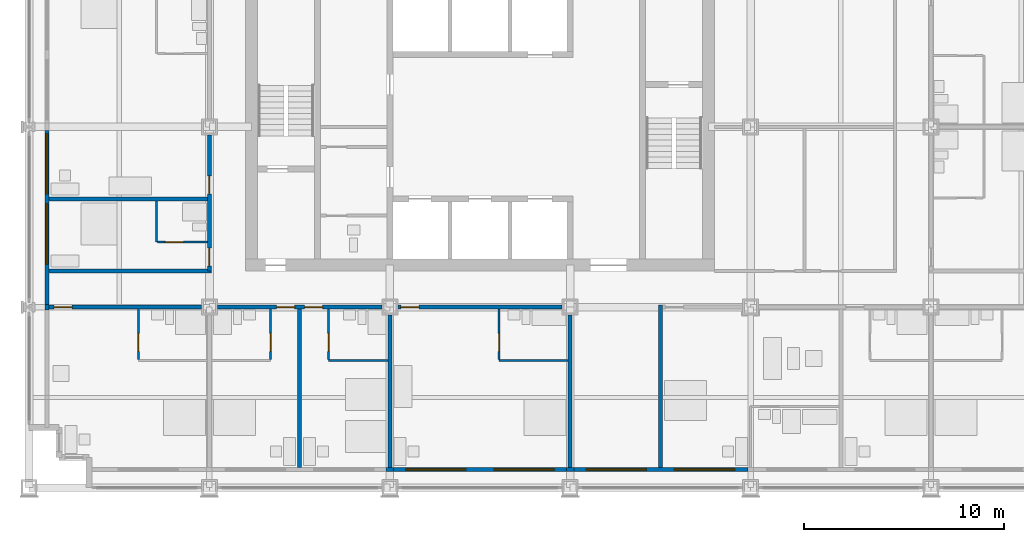
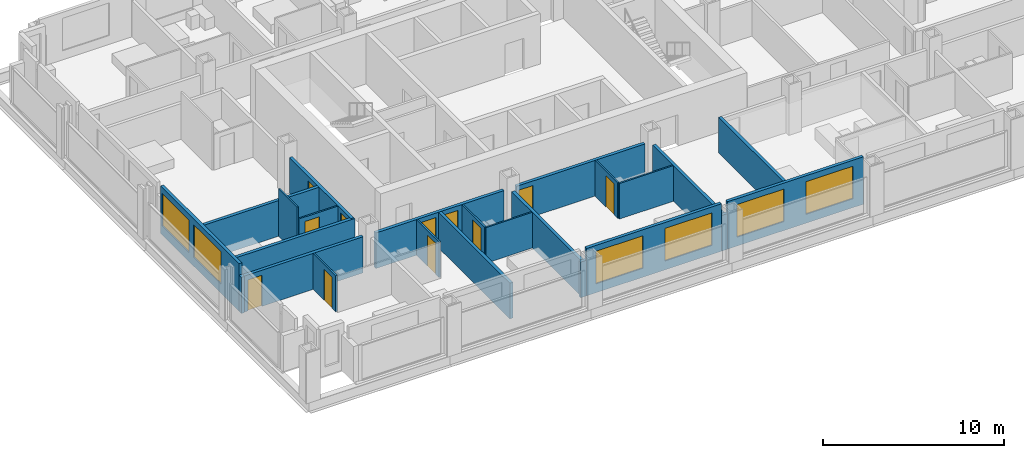
# One storey, part 10 of 18: 24 walls, 11 doors, 6 windows, 17 openings.
"""IFC4 building model written with IfcOpenShell, lengths in metres."""

from ifc_helpers import new_model, si_unit, direction, frame, frame_2d, origin, place, context, subcontext, project, spatial, rectangle, extrude, material, layer, layer_set, type_object, element, fill, save


model = new_model("IFC4")

# Units and contexts
model_context = context("Model", 3, precision=1e-05, world=origin(), true_north=direction((0.0, 1.0)))
body_context = subcontext(model_context, "Body", "Model", "MODEL_VIEW")
ifc_project = project(units=[si_unit("LENGTHUNIT", "METRE"), si_unit("AREAUNIT", "SQUARE_METRE"), si_unit("VOLUMEUNIT", "CUBIC_METRE"), si_unit("PLANEANGLEUNIT", "RADIAN"), si_unit("MASSUNIT", "GRAM", prefix="KILO")], contexts=[model_context])

# Site, building, storey
site_placement = place(None, origin())
site = spatial("IfcSite", under=ifc_project, at=site_placement, CompositionType="ELEMENT")
building_placement = place(site_placement, origin())
building = spatial("IfcBuilding", under=site, at=building_placement, Name="Loomwork Tower", CompositionType="ELEMENT")
storey_placement = place(building_placement, frame((0.0, 0.0, 31.39990234375)))
storey = spatial("IfcBuildingStorey", under=building, at=storey_placement, Name="L06", CompositionType="ELEMENT", Elevation=31.39990234375)

# Wall, opening, door
ifc_material_1 = material(Name="Gypsum board on steel studs, one-hour", Category="steel")
ifc_layer_1 = layer(ifc_material_1, 0.199951171875)
ifc_layer_set_1 = layer_set([ifc_layer_1], Name="Corridor wall 200")
wall_type_1 = type_object("IfcWallType", Name="Corridor wall 200", PredefinedType="PARTITIONING", material=ifc_layer_set_1)
wall_1_placement = place(storey_placement, frame((1.0, 9.0, 0.0), z_axis=(0.0, 0.0, 1.0), x_axis=(1.0, 0.0, 0.0)))
wall_1 = element("IfcWall", 1, at=wall_1_placement, inside=storey, type_object=wall_type_1, Name="South corridor wall 1", PredefinedType="PARTITIONING", context=body_context, shape_type="SweptSolid", body=[
    extrude(rectangle(XDim=7.60009765625, YDim=0.199951171875, at=frame_2d((3.800048828125, 0.0))), origin(), (0.0, 0.0, 1.0), 2.43798828125),
])
opening_1_placement = place(wall_1_placement, frame((0.25, 0.0, 0.0)))
opening_1 = element("IfcOpeningElement", 2, at=opening_1_placement, cuts=wall_1, Name="Opening D1", PredefinedType="OPENING", context=body_context, shape_type="SweptSolid", body=[
    extrude(rectangle(XDim=0.89990234375, YDim=2.10009765625, at=frame_2d((0.449951171875, 1.050048828125))), frame((0.0, 0.10986328125, 0.0), z_axis=(0.0, -1.0, 0.0), x_axis=(1.0, 0.0, 0.0)), (0.0, 0.0, 1.0), 0.219970703125),
])
ifc_material_2 = material(Name="Hollow metal door and frame")
door_type_1 = type_object("IfcDoorType", Name="Guest room entry door 900", OperationType="SINGLE_SWING_LEFT", PredefinedType="DOOR", material=ifc_material_2)
door_1_placement = place(opening_1_placement, frame((0.89990234375, 0.0, 0.0), z_axis=(0.0, 0.0, 1.0), x_axis=(-1.0, 0.0, 0.0)))
door_1 = element("IfcDoor", 3, at=door_1_placement, inside=storey, type_object=door_type_1, Name="Guest room entry door L06 1", OperationType="SINGLE_SWING_RIGHT", OverallHeight=2.10009765625, OverallWidth=0.89990234375, PredefinedType="DOOR", context=body_context, shape_type="SweptSolid", body=[
    extrude(rectangle(XDim=0.89990234375, YDim=2.10009765625, at=frame_2d((0.449951171875, 1.050048828125))), frame((0.0, 0.02490234375, 0.0), z_axis=(0.0, -1.0, 0.0), x_axis=(1.0, 0.0, 0.0)), (0.0, 0.0, 1.0), 0.050048828125),
])
fill(opening_1, door_1)

# Wall, openings, doors
wall_2_placement = place(storey_placement, frame((9.39990234375, 9.0, 0.0), z_axis=(0.0, 0.0, 1.0), x_axis=(1.0, 0.0, 0.0)))
wall_2 = element("IfcWall", 4, at=wall_2_placement, inside=storey, type_object=wall_type_1, Name="South corridor wall 2", PredefinedType="PARTITIONING", context=body_context, shape_type="SweptSolid", body=[
    extrude(rectangle(XDim=8.2001953125, YDim=0.199951171875, at=frame_2d((4.10009765625, 0.0))), origin(), (0.0, 0.0, 1.0), 2.405029296875),
])
opening_2_placement = place(wall_2_placement, frame((2.949951171875, 0.0, 0.0)))
opening_2 = element("IfcOpeningElement", 5, at=opening_2_placement, cuts=wall_2, Name="Opening D1", PredefinedType="OPENING", context=body_context, shape_type="SweptSolid", body=[
    extrude(rectangle(XDim=0.89990234375, YDim=2.10009765625, at=frame_2d((0.449951171875, 1.050048828125))), frame((0.0, 0.10986328125, 0.0), z_axis=(0.0, -1.0, 0.0), x_axis=(1.0, 0.0, 0.0)), (0.0, 0.0, 1.0), 0.219970703125),
])
opening_3_placement = place(wall_2_placement, frame((4.35009765625, 0.0, 0.0)))
opening_3 = element("IfcOpeningElement", 6, at=opening_3_placement, cuts=wall_2, Name="Opening D1", PredefinedType="OPENING", context=body_context, shape_type="SweptSolid", body=[
    extrude(rectangle(XDim=0.89990234375, YDim=2.10009765625, at=frame_2d((0.449951171875, 1.050048828125))), frame((0.0, 0.10986328125, 0.0), z_axis=(0.0, -1.0, 0.0), x_axis=(1.0, 0.0, 0.0)), (0.0, 0.0, 1.0), 0.219970703125),
])
door_2_placement = place(opening_2_placement, frame((0.89990234375, 0.0, 0.0), z_axis=(0.0, 0.0, 1.0), x_axis=(-1.0, 0.0, 0.0)))
door_2 = element("IfcDoor", 7, at=door_2_placement, inside=storey, type_object=door_type_1, Name="Guest room entry door L06 2", OperationType="SINGLE_SWING_LEFT", OverallHeight=2.10009765625, OverallWidth=0.89990234375, PredefinedType="DOOR", context=body_context, shape_type="SweptSolid", body=[
    extrude(rectangle(XDim=0.89990234375, YDim=2.10009765625, at=frame_2d((0.449951171875, 1.050048828125))), frame((0.0, 0.02490234375, 0.0), z_axis=(0.0, -1.0, 0.0), x_axis=(1.0, 0.0, 0.0)), (0.0, 0.0, 1.0), 0.050048828125),
])
fill(opening_2, door_2)
door_3_placement = place(opening_3_placement, frame((0.89990234375, 0.0, 0.0), z_axis=(0.0, 0.0, 1.0), x_axis=(-1.0, 0.0, 0.0)))
door_3 = element("IfcDoor", 8, at=door_3_placement, inside=storey, type_object=door_type_1, Name="Guest room entry door L06 3", OperationType="SINGLE_SWING_RIGHT", OverallHeight=2.10009765625, OverallWidth=0.89990234375, PredefinedType="DOOR", context=body_context, shape_type="SweptSolid", body=[
    extrude(rectangle(XDim=0.89990234375, YDim=2.10009765625, at=frame_2d((0.449951171875, 1.050048828125))), frame((0.0, 0.02490234375, 0.0), z_axis=(0.0, -1.0, 0.0), x_axis=(1.0, 0.0, 0.0)), (0.0, 0.0, 1.0), 0.050048828125),
])
fill(opening_3, door_3)

# Wall, opening, door
wall_3_placement = place(storey_placement, frame((18.39990234375, 9.0, 0.0), z_axis=(0.0, 0.0, 1.0), x_axis=(1.0, 0.0, 0.0)))
wall_3 = element("IfcWall", 9, at=wall_3_placement, inside=storey, type_object=wall_type_1, Name="South corridor wall 3", PredefinedType="PARTITIONING", context=body_context, shape_type="SweptSolid", body=[
    extrude(rectangle(XDim=8.2001953125, YDim=0.199951171875, at=frame_2d((4.10009765625, 0.0))), origin(), (0.0, 0.0, 1.0), 2.405029296875),
])
opening_4_placement = place(wall_3_placement, frame((0.14990234375, 0.0, 0.0)))
opening_4 = element("IfcOpeningElement", 10, at=opening_4_placement, cuts=wall_3, Name="Opening D1", PredefinedType="OPENING", context=body_context, shape_type="SweptSolid", body=[
    extrude(rectangle(XDim=0.89990234375, YDim=2.10009765625, at=frame_2d((0.449951171875, 1.050048828125))), frame((0.0, 0.10986328125, 0.0), z_axis=(0.0, -1.0, 0.0), x_axis=(1.0, 0.0, 0.0)), (0.0, 0.0, 1.0), 0.219970703125),
])
door_4_placement = place(opening_4_placement, frame((0.89990234375, 0.0, 0.0), z_axis=(0.0, 0.0, 1.0), x_axis=(-1.0, 0.0, 0.0)))
door_4 = element("IfcDoor", 11, at=door_4_placement, inside=storey, type_object=door_type_1, Name="Guest room entry door L06 4", OperationType="SINGLE_SWING_RIGHT", OverallHeight=2.10009765625, OverallWidth=0.89990234375, PredefinedType="DOOR", context=body_context, shape_type="SweptSolid", body=[
    extrude(rectangle(XDim=0.89990234375, YDim=2.10009765625, at=frame_2d((0.449951171875, 1.050048828125))), frame((0.0, 0.02490234375, 0.0), z_axis=(0.0, -1.0, 0.0), x_axis=(1.0, 0.0, 0.0)), (0.0, 0.0, 1.0), 0.050048828125),
])
fill(opening_4, door_4)

# Wall, openings, doors
wall_4_placement = place(storey_placement, frame((9.0, 10.800048828125, 0.0), z_axis=(0.0, 0.0, 1.0), x_axis=(0.0, 1.0, 0.0)))
wall_4 = element("IfcWall", 12, at=wall_4_placement, inside=storey, type_object=wall_type_1, Name="West corridor wall 1", PredefinedType="PARTITIONING", context=body_context, shape_type="SweptSolid", body=[
    extrude(rectangle(XDim=6.800048828125, YDim=0.199951171875, at=frame_2d((3.39990234375, 0.0))), origin(), (0.0, 0.0, 1.0), 2.405029296875),
])
opening_5_placement = place(wall_4_placement, frame((0.25, 0.0, 0.0)))
opening_5 = element("IfcOpeningElement", 13, at=opening_5_placement, cuts=wall_4, Name="Opening D1", PredefinedType="OPENING", context=body_context, shape_type="SweptSolid", body=[
    extrude(rectangle(XDim=0.89990234375, YDim=2.10009765625, at=frame_2d((0.449951171875, 1.050048828125))), frame((0.0, 0.10986328125, 0.0), z_axis=(0.0, -1.0, 0.0), x_axis=(1.0, 0.0, 0.0)), (0.0, 0.0, 1.0), 0.219970703125),
])
opening_6_placement = place(wall_4_placement, frame((3.85009765625, 0.0, 0.0)))
opening_6 = element("IfcOpeningElement", 14, at=opening_6_placement, cuts=wall_4, Name="Opening D1", PredefinedType="OPENING", context=body_context, shape_type="SweptSolid", body=[
    extrude(rectangle(XDim=0.89990234375, YDim=2.10009765625, at=frame_2d((0.449951171875, 1.050048828125))), frame((0.0, 0.10986328125, 0.0), z_axis=(0.0, -1.0, 0.0), x_axis=(1.0, 0.0, 0.0)), (0.0, 0.0, 1.0), 0.219970703125),
])
door_5_placement = place(opening_5_placement, origin())
door_5 = element("IfcDoor", 15, at=door_5_placement, inside=storey, type_object=door_type_1, Name="Guest room entry door L06 16", OperationType="SINGLE_SWING_LEFT", OverallHeight=2.10009765625, OverallWidth=0.89990234375, PredefinedType="DOOR", context=body_context, shape_type="SweptSolid", body=[
    extrude(rectangle(XDim=0.89990234375, YDim=2.10009765625, at=frame_2d((0.449951171875, 1.050048828125))), frame((0.0, 0.02490234375, 0.0), z_axis=(0.0, -1.0, 0.0), x_axis=(1.0, 0.0, 0.0)), (0.0, 0.0, 1.0), 0.050048828125),
])
fill(opening_5, door_5)
door_6_placement = place(opening_6_placement, origin())
door_6 = element("IfcDoor", 16, at=door_6_placement, inside=storey, type_object=door_type_1, Name="Guest room entry door L06 17", OperationType="SINGLE_SWING_LEFT", OverallHeight=2.10009765625, OverallWidth=0.89990234375, PredefinedType="DOOR", context=body_context, shape_type="SweptSolid", body=[
    extrude(rectangle(XDim=0.89990234375, YDim=2.10009765625, at=frame_2d((0.449951171875, 1.050048828125))), frame((0.0, 0.02490234375, 0.0), z_axis=(0.0, -1.0, 0.0), x_axis=(1.0, 0.0, 0.0)), (0.0, 0.0, 1.0), 0.050048828125),
])
fill(opening_6, door_6)

# Wall
wall_5_placement = place(storey_placement, frame((1.0, 10.800048828125, 0.0), z_axis=(0.0, 0.0, 1.0), x_axis=(1.0, 0.0, 0.0)))
element("IfcWall", 17, at=wall_5_placement, inside=storey, type_object=wall_type_1, Name="West band end wall S", PredefinedType="PARTITIONING", context=body_context, shape_type="SweptSolid", body=[
    extrude(rectangle(XDim=8.10009765625, YDim=0.199951171875, at=frame_2d((4.050048828125, 0.0))), origin(), (0.0, 0.0, 1.0), 2.404052734375),
])

# Wall, opening, door
ifc_material_3 = material(Name="Cement board on steel studs", Category="steel")
ifc_layer_2 = layer(ifc_material_3, 0.10009765625)
ifc_layer_set_2 = layer_set([ifc_layer_2], Name="En-suite partition 100")
wall_type_2 = type_object("IfcWallType", Name="En-suite partition 100", PredefinedType="PARTITIONING", material=ifc_layer_set_2)
wall_6_placement = place(storey_placement, frame((5.449951171875, 8.89990234375, 0.0), z_axis=(0.0, 0.0, 1.0), x_axis=(0.0, -1.0, 0.0)))
wall_6 = element("IfcWall", 18, at=wall_6_placement, inside=storey, type_object=wall_type_2, Name="En-suite side wall L06 room 1", PredefinedType="PARTITIONING", context=body_context, shape_type="SweptSolid", body=[
    extrude(rectangle(XDim=2.5, YDim=0.10009765625, at=frame_2d((1.25, 0.0))), origin(), (0.0, 0.0, 1.0), 2.43798828125),
])
opening_7_placement = place(wall_6_placement, frame((1.199951171875, 0.0, 0.0)))
opening_7 = element("IfcOpeningElement", 19, at=opening_7_placement, cuts=wall_6, Name="Opening D3", PredefinedType="OPENING", context=body_context, shape_type="SweptSolid", body=[
    extrude(rectangle(XDim=0.89990234375, YDim=2.10009765625, at=frame_2d((0.449951171875, 1.050048828125))), frame((0.0, 0.06005859375, 0.0), z_axis=(0.0, -1.0, 0.0), x_axis=(1.0, 0.0, 0.0)), (0.0, 0.0, 1.0), 0.1201171875),
])
ifc_material_4 = material(Name="Hollow metal door and frame")
door_type_2 = type_object("IfcDoorType", Name="Accessible en-suite door 900", OperationType="SLIDING_TO_LEFT", PredefinedType="DOOR", material=ifc_material_4)
door_7_placement = place(opening_7_placement, origin())
door_7 = element("IfcDoor", 20, at=door_7_placement, inside=storey, type_object=door_type_2, Name="Accessible en-suite door room 1", OperationType="SLIDING_TO_LEFT", OverallHeight=2.10009765625, OverallWidth=0.89990234375, PredefinedType="DOOR", context=body_context, shape_type="SweptSolid", body=[
    extrude(rectangle(XDim=0.89990234375, YDim=2.10009765625, at=frame_2d((0.449951171875, 1.050048828125))), frame((0.0, 0.02490234375, 0.0), z_axis=(0.0, -1.0, 0.0), x_axis=(1.0, 0.0, 0.0)), (0.0, 0.0, 1.0), 0.050048828125),
])
fill(opening_7, door_7)

wall_7_placement = place(storey_placement, frame((12.050048828125, 8.89990234375, 0.0), z_axis=(0.0, 0.0, 1.0), x_axis=(0.0, -1.0, 0.0)))
wall_7 = element("IfcWall", 21, at=wall_7_placement, inside=storey, type_object=wall_type_2, Name="En-suite side wall L06 room 2", PredefinedType="PARTITIONING", context=body_context, shape_type="SweptSolid", body=[
    extrude(rectangle(XDim=2.5, YDim=0.10009765625, at=frame_2d((1.25, 0.0))), origin(), (0.0, 0.0, 1.0), 2.404052734375),
])
opening_8_placement = place(wall_7_placement, frame((1.199951171875, 0.0, 0.0)))
opening_8 = element("IfcOpeningElement", 22, at=opening_8_placement, cuts=wall_7, Name="Opening D2", PredefinedType="OPENING", context=body_context, shape_type="SweptSolid", body=[
    extrude(rectangle(XDim=0.89990234375, YDim=2.10009765625, at=frame_2d((0.449951171875, 1.050048828125))), frame((0.0, 0.06005859375, 0.0), z_axis=(0.0, -1.0, 0.0), x_axis=(1.0, 0.0, 0.0)), (0.0, 0.0, 1.0), 0.1201171875),
])
ifc_material_5 = material(Name="Hollow metal door and frame")
door_type_3 = type_object("IfcDoorType", Name="En-suite door 900", OperationType="SINGLE_SWING_LEFT", PredefinedType="DOOR", material=ifc_material_5)
door_8_placement = place(opening_8_placement, frame((0.89990234375, 0.0, 0.0), z_axis=(0.0, 0.0, 1.0), x_axis=(-1.0, 0.0, 0.0)))
door_8 = element("IfcDoor", 23, at=door_8_placement, inside=storey, type_object=door_type_3, Name="En-suite door room 2", OperationType="SINGLE_SWING_LEFT", OverallHeight=2.10009765625, OverallWidth=0.89990234375, PredefinedType="DOOR", context=body_context, shape_type="SweptSolid", body=[
    extrude(rectangle(XDim=0.89990234375, YDim=2.10009765625, at=frame_2d((0.449951171875, 1.050048828125))), frame((0.0, 0.02490234375, 0.0), z_axis=(0.0, -1.0, 0.0), x_axis=(1.0, 0.0, 0.0)), (0.0, 0.0, 1.0), 0.050048828125),
])
fill(opening_8, door_8)

# Wall
wall_8_placement = place(storey_placement, frame((14.949951171875, 6.35009765625, 0.0), z_axis=(0.0, 0.0, 1.0), x_axis=(1.0, 0.0, 0.0)))
element("IfcWall", 24, at=wall_8_placement, inside=storey, type_object=wall_type_2, Name="En-suite wall L06 room 3", PredefinedType="PARTITIONING", context=body_context, shape_type="SweptSolid", body=[
    extrude(rectangle(XDim=2.949951171875, YDim=0.10009765625, at=frame_2d((1.47509765625, 0.0))), origin(), (0.0, 0.0, 1.0), 2.404052734375),
])

# Wall, opening, door
wall_9_placement = place(storey_placement, frame((14.949951171875, 8.89990234375, 0.0), z_axis=(0.0, 0.0, 1.0), x_axis=(0.0, -1.0, 0.0)))
wall_9 = element("IfcWall", 25, at=wall_9_placement, inside=storey, type_object=wall_type_2, Name="En-suite side wall L06 room 3", PredefinedType="PARTITIONING", context=body_context, shape_type="SweptSolid", body=[
    extrude(rectangle(XDim=2.5, YDim=0.10009765625, at=frame_2d((1.25, 0.0))), origin(), (0.0, 0.0, 1.0), 2.404052734375),
])
opening_9_placement = place(wall_9_placement, frame((1.199951171875, 0.0, 0.0)))
opening_9 = element("IfcOpeningElement", 26, at=opening_9_placement, cuts=wall_9, Name="Opening D2", PredefinedType="OPENING", context=body_context, shape_type="SweptSolid", body=[
    extrude(rectangle(XDim=0.89990234375, YDim=2.10009765625, at=frame_2d((0.449951171875, 1.050048828125))), frame((0.0, 0.06005859375, 0.0), z_axis=(0.0, -1.0, 0.0), x_axis=(1.0, 0.0, 0.0)), (0.0, 0.0, 1.0), 0.1201171875),
])
door_9_placement = place(opening_9_placement, origin())
door_9 = element("IfcDoor", 27, at=door_9_placement, inside=storey, type_object=door_type_3, Name="En-suite door room 3", OperationType="SINGLE_SWING_RIGHT", OverallHeight=2.10009765625, OverallWidth=0.89990234375, PredefinedType="DOOR", context=body_context, shape_type="SweptSolid", body=[
    extrude(rectangle(XDim=0.89990234375, YDim=2.10009765625, at=frame_2d((0.449951171875, 1.050048828125))), frame((0.0, 0.02490234375, 0.0), z_axis=(0.0, -1.0, 0.0), x_axis=(1.0, 0.0, 0.0)), (0.0, 0.0, 1.0), 0.050048828125),
])
fill(opening_9, door_9)

# Wall
wall_10_placement = place(storey_placement, frame((23.449951171875, 6.35009765625, 0.0), z_axis=(0.0, 0.0, 1.0), x_axis=(1.0, 0.0, 0.0)))
element("IfcWall", 28, at=wall_10_placement, inside=storey, type_object=wall_type_2, Name="En-suite wall L06 room 4", PredefinedType="PARTITIONING", context=body_context, shape_type="SweptSolid", body=[
    extrude(rectangle(XDim=3.449951171875, YDim=0.10009765625, at=frame_2d((1.72509765625, 0.0))), origin(), (0.0, 0.0, 1.0), 2.404052734375),
])

# Wall, opening, door
wall_11_placement = place(storey_placement, frame((23.449951171875, 8.89990234375, 0.0), z_axis=(0.0, 0.0, 1.0), x_axis=(0.0, -1.0, 0.0)))
wall_11 = element("IfcWall", 29, at=wall_11_placement, inside=storey, type_object=wall_type_2, Name="En-suite side wall L06 room 4", PredefinedType="PARTITIONING", context=body_context, shape_type="SweptSolid", body=[
    extrude(rectangle(XDim=2.5, YDim=0.10009765625, at=frame_2d((1.25, 0.0))), origin(), (0.0, 0.0, 1.0), 2.404052734375),
])
opening_10_placement = place(wall_11_placement, frame((1.199951171875, 0.0, 0.0)))
opening_10 = element("IfcOpeningElement", 30, at=opening_10_placement, cuts=wall_11, Name="Opening D2", PredefinedType="OPENING", context=body_context, shape_type="SweptSolid", body=[
    extrude(rectangle(XDim=0.89990234375, YDim=2.10009765625, at=frame_2d((0.449951171875, 1.050048828125))), frame((0.0, 0.06005859375, 0.0), z_axis=(0.0, -1.0, 0.0), x_axis=(1.0, 0.0, 0.0)), (0.0, 0.0, 1.0), 0.1201171875),
])
door_10_placement = place(opening_10_placement, origin())
door_10 = element("IfcDoor", 31, at=door_10_placement, inside=storey, type_object=door_type_3, Name="En-suite door room 4", OperationType="SINGLE_SWING_RIGHT", OverallHeight=2.10009765625, OverallWidth=0.89990234375, PredefinedType="DOOR", context=body_context, shape_type="SweptSolid", body=[
    extrude(rectangle(XDim=0.89990234375, YDim=2.10009765625, at=frame_2d((0.449951171875, 1.050048828125))), frame((0.0, 0.02490234375, 0.0), z_axis=(0.0, -1.0, 0.0), x_axis=(1.0, 0.0, 0.0)), (0.0, 0.0, 1.0), 0.050048828125),
])
fill(opening_10, door_10)

# Wall
wall_12_placement = place(storey_placement, frame((6.35009765625, 12.25, 0.0), z_axis=(0.0, 0.0, 1.0), x_axis=(0.0, 1.0, 0.0)))
element("IfcWall", 32, at=wall_12_placement, inside=storey, type_object=wall_type_2, Name="En-suite wall L06 room 16", PredefinedType="PARTITIONING", context=body_context, shape_type="SweptSolid", body=[
    extrude(rectangle(XDim=2.050048828125, YDim=0.10009765625, at=frame_2d((1.02490234375, 0.0))), origin(), (0.0, 0.0, 1.0), 3.2001953125),
])

# Wall, opening, door
wall_13_placement = place(storey_placement, frame((8.89990234375, 12.25, 0.0), z_axis=(0.0, 0.0, 1.0), x_axis=(-1.0, 0.0, 0.0)))
wall_13 = element("IfcWall", 33, at=wall_13_placement, inside=storey, type_object=wall_type_2, Name="En-suite side wall L06 room 16", PredefinedType="PARTITIONING", context=body_context, shape_type="SweptSolid", body=[
    extrude(rectangle(XDim=2.5, YDim=0.10009765625, at=frame_2d((1.25, 0.0))), origin(), (0.0, 0.0, 1.0), 2.404052734375),
])
opening_11_placement = place(wall_13_placement, frame((1.199951171875, 0.0, 0.0)))
opening_11 = element("IfcOpeningElement", 34, at=opening_11_placement, cuts=wall_13, Name="Opening D2", PredefinedType="OPENING", context=body_context, shape_type="SweptSolid", body=[
    extrude(rectangle(XDim=0.89990234375, YDim=2.10009765625, at=frame_2d((0.449951171875, 1.050048828125))), frame((0.0, 0.06005859375, 0.0), z_axis=(0.0, -1.0, 0.0), x_axis=(1.0, 0.0, 0.0)), (0.0, 0.0, 1.0), 0.1201171875),
])
door_11_placement = place(opening_11_placement, frame((0.89990234375, 0.0, 0.0), z_axis=(0.0, 0.0, 1.0), x_axis=(-1.0, 0.0, 0.0)))
door_11 = element("IfcDoor", 35, at=door_11_placement, inside=storey, type_object=door_type_3, Name="En-suite door room 16", OperationType="SINGLE_SWING_LEFT", OverallHeight=2.10009765625, OverallWidth=0.89990234375, PredefinedType="DOOR", context=body_context, shape_type="SweptSolid", body=[
    extrude(rectangle(XDim=0.89990234375, YDim=2.10009765625, at=frame_2d((0.449951171875, 1.050048828125))), frame((0.0, 0.02490234375, 0.0), z_axis=(0.0, -1.0, 0.0), x_axis=(1.0, 0.0, 0.0)), (0.0, 0.0, 1.0), 0.050048828125),
])
fill(opening_11, door_11)

# Walls
ifc_material_6 = material(Name="Gypsum board on steel studs, acoustic", Category="steel")
ifc_layer_3 = layer(ifc_material_6, 0.199951171875)
ifc_layer_set_3 = layer_set([ifc_layer_3], Name="Guest room party wall 200")
wall_type_3 = type_object("IfcWallType", Name="Guest room party wall 200", PredefinedType="PARTITIONING", material=ifc_layer_set_3)
wall_14_placement = place(storey_placement, frame((13.5, 8.89990234375, 0.0), z_axis=(0.0, 0.0, 1.0), x_axis=(0.0, -1.0, 0.0)))
element("IfcWall", 36, at=wall_14_placement, inside=storey, type_object=wall_type_3, Name="Guest room party wall S 13.5", PredefinedType="PARTITIONING", context=body_context, shape_type="SweptSolid", body=[
    extrude(rectangle(XDim=7.89990234375, YDim=0.199951171875, at=frame_2d((3.949951171875, 0.0))), origin(), (0.0, 0.0, 1.0), 2.404052734375),
])
for number, where, z_axis, x_axis, name in (
    (37, (18.0, 8.60009765625, 0.0), (0.0, 0.0, 1.0), (0.0, -1.0, 0.0), "Guest room party wall S 18"),
    (38, (27.0, 8.60009765625, 0.0), (0.0, 0.0, 1.0), (0.0, -1.0, 0.0), "Guest room party wall S 27"),
):
    element("IfcWall", number, at=place(storey_placement, frame(where, z_axis=z_axis, x_axis=x_axis)), inside=storey, type_object=wall_type_3, Name=name, PredefinedType="PARTITIONING", context=body_context, shape_type="SweptSolid", body=[
        extrude(rectangle(XDim=7.60009765625, YDim=0.199951171875, at=frame_2d((3.800048828125, 0.0))), origin(), (0.0, 0.0, 1.0), 2.405029296875),
    ])
wall_15_placement = place(storey_placement, frame((31.5, 9.10009765625, 0.0), z_axis=(0.0, 0.0, 1.0), x_axis=(0.0, -1.0, 0.0)))
element("IfcWall", 39, at=wall_15_placement, inside=storey, type_object=wall_type_3, Name="Guest room party wall S 31.5", PredefinedType="PARTITIONING", context=body_context, shape_type="SweptSolid", body=[
    extrude(rectangle(XDim=8.10009765625, YDim=0.199951171875, at=frame_2d((4.050048828125, 0.0))), origin(), (0.0, 0.0, 1.0), 2.404052734375),
])
wall_16_placement = place(storey_placement, frame((8.89990234375, 14.39990234375, 0.0), z_axis=(0.0, 0.0, 1.0), x_axis=(-1.0, 0.0, 0.0)))
element("IfcWall", 40, at=wall_16_placement, inside=storey, type_object=wall_type_3, Name="Guest room party wall W 14.4", PredefinedType="PARTITIONING", context=body_context, shape_type="SweptSolid", body=[
    extrude(rectangle(XDim=7.89990234375, YDim=0.199951171875, at=frame_2d((3.949951171875, 0.0))), origin(), (0.0, 0.0, 1.0), 2.404052734375),
])
ifc_material_7 = material(Name="Insulated steel stud wall with gypsum lining", Category="steel")
ifc_layer_4 = layer(ifc_material_7, 0.199951171875)
ifc_layer_set_4 = layer_set([ifc_layer_4], Name="Inner skin wall 200")
wall_type_4 = type_object("IfcWallType", Name="Inner skin wall 200", PredefinedType="SOLIDWALL", material=ifc_layer_set_4)
wall_17_placement = place(storey_placement, frame((17.80615234375, 0.89990234375, 0.0), z_axis=(0.0, 0.0, 1.0), x_axis=(1.0, 0.0, 0.0)))
element("IfcWall", 41, at=wall_17_placement, inside=storey, type_object=wall_type_4, Name="Inner skin wall S bay 4", PredefinedType="SOLIDWALL", context=body_context, shape_type="SweptSolid", body=[
    extrude(rectangle(XDim=0.3876953125, YDim=0.199951171875, at=frame_2d((0.19384765625, 0.0))), origin(), (0.0, 0.0, 1.0), 2.404052734375),
])

# Wall, openings, windows
wall_18_placement = place(storey_placement, frame((18.19384765625, 0.89990234375, 0.0), z_axis=(0.0, 0.0, 1.0), x_axis=(1.0, 0.0, 0.0)))
wall_18 = element("IfcWall", 42, at=wall_18_placement, inside=storey, type_object=wall_type_4, Name="Inner skin wall S bay 5", PredefinedType="SOLIDWALL", context=body_context, shape_type="SweptSolid", body=[
    extrude(rectangle(XDim=8.6123046875, YDim=0.199951171875, at=frame_2d((4.30615234375, 0.0))), origin(), (0.0, 0.0, 1.0), 3.2001953125),
])
opening_12_placement = place(wall_18_placement, frame((0.606201171875, 0.0, 0.60009765625)))
opening_12 = element("IfcOpeningElement", 43, at=opening_12_placement, cuts=wall_18, Name="Opening CH1", PredefinedType="OPENING", context=body_context, shape_type="SweptSolid", body=[
    extrude(rectangle(XDim=3.0, YDim=2.199951171875, at=frame_2d((1.5, 1.10009765625))), frame((0.0, 0.10986328125, 0.0), z_axis=(0.0, -1.0, 0.0), x_axis=(1.0, 0.0, 0.0)), (0.0, 0.0, 1.0), 0.219970703125),
])
opening_13_placement = place(wall_18_placement, frame((5.006103515625, 0.0, 0.60009765625)))
opening_13 = element("IfcOpeningElement", 44, at=opening_13_placement, cuts=wall_18, Name="Opening CH1", PredefinedType="OPENING", context=body_context, shape_type="SweptSolid", body=[
    extrude(rectangle(XDim=3.0, YDim=2.199951171875, at=frame_2d((1.5, 1.10009765625))), frame((0.0, 0.10986328125, 0.0), z_axis=(0.0, -1.0, 0.0), x_axis=(1.0, 0.0, 0.0)), (0.0, 0.0, 1.0), 0.219970703125),
])
ifc_material_8 = material(Name="Aluminium frame with clear insulated glass", Category="aluminium")
window_type = type_object("IfcWindowType", Name="Chicago window 3000", PartitioningType="TRIPLE_PANEL_VERTICAL", PredefinedType="WINDOW", material=ifc_material_8)
window_1_placement = place(opening_12_placement, origin())
window_1 = element("IfcWindow", 45, at=window_1_placement, inside=storey, type_object=window_type, Name="Chicago window L06 bay 3", OverallHeight=2.199951171875, OverallWidth=3.0, PartitioningType="TRIPLE_PANEL_VERTICAL", PredefinedType="WINDOW", context=body_context, shape_type="SweptSolid", body=[
    extrude(rectangle(XDim=3.0, YDim=2.199951171875, at=frame_2d((1.5, 1.10009765625))), frame((0.0, 0.030029296875, 0.0), z_axis=(0.0, -1.0, 0.0), x_axis=(1.0, 0.0, 0.0)), (0.0, 0.0, 1.0), 0.06005859375),
])
fill(opening_12, window_1)
window_2_placement = place(opening_13_placement, origin())
window_2 = element("IfcWindow", 46, at=window_2_placement, inside=storey, type_object=window_type, Name="Chicago window L06 bay 3", OverallHeight=2.199951171875, OverallWidth=3.0, PartitioningType="TRIPLE_PANEL_VERTICAL", PredefinedType="WINDOW", context=body_context, shape_type="SweptSolid", body=[
    extrude(rectangle(XDim=3.0, YDim=2.199951171875, at=frame_2d((1.5, 1.10009765625))), frame((0.0, 0.030029296875, 0.0), z_axis=(0.0, -1.0, 0.0), x_axis=(1.0, 0.0, 0.0)), (0.0, 0.0, 1.0), 0.06005859375),
])
fill(opening_13, window_2)

# Wall
wall_19_placement = place(storey_placement, frame((26.80615234375, 0.89990234375, 0.0), z_axis=(0.0, 0.0, 1.0), x_axis=(1.0, 0.0, 0.0)))
element("IfcWall", 47, at=wall_19_placement, inside=storey, type_object=wall_type_4, Name="Inner skin wall S bay 6", PredefinedType="SOLIDWALL", context=body_context, shape_type="SweptSolid", body=[
    extrude(rectangle(XDim=0.3876953125, YDim=0.199951171875, at=frame_2d((0.19384765625, 0.0))), origin(), (0.0, 0.0, 1.0), 2.404052734375),
])

# Wall, openings, windows
wall_20_placement = place(storey_placement, frame((27.19384765625, 0.89990234375, 0.0), z_axis=(0.0, 0.0, 1.0), x_axis=(1.0, 0.0, 0.0)))
wall_20 = element("IfcWall", 48, at=wall_20_placement, inside=storey, type_object=wall_type_4, Name="Inner skin wall S bay 7", PredefinedType="SOLIDWALL", context=body_context, shape_type="SweptSolid", body=[
    extrude(rectangle(XDim=8.670654296875, YDim=0.199951171875, at=frame_2d((4.33544921875, 0.0))), origin(), (0.0, 0.0, 1.0), 3.2001953125),
])
opening_14_placement = place(wall_20_placement, frame((0.606201171875, 0.0, 0.60009765625)))
opening_14 = element("IfcOpeningElement", 49, at=opening_14_placement, cuts=wall_20, Name="Opening CH1", PredefinedType="OPENING", context=body_context, shape_type="SweptSolid", body=[
    extrude(rectangle(XDim=3.0, YDim=2.199951171875, at=frame_2d((1.5, 1.10009765625))), frame((0.0, 0.10986328125, 0.0), z_axis=(0.0, -1.0, 0.0), x_axis=(1.0, 0.0, 0.0)), (0.0, 0.0, 1.0), 0.219970703125),
])
opening_15_placement = place(wall_20_placement, frame((5.006103515625, 0.0, 0.60009765625)))
opening_15 = element("IfcOpeningElement", 50, at=opening_15_placement, cuts=wall_20, Name="Opening CH1", PredefinedType="OPENING", context=body_context, shape_type="SweptSolid", body=[
    extrude(rectangle(XDim=3.0, YDim=2.199951171875, at=frame_2d((1.5, 1.10009765625))), frame((0.0, 0.10986328125, 0.0), z_axis=(0.0, -1.0, 0.0), x_axis=(1.0, 0.0, 0.0)), (0.0, 0.0, 1.0), 0.219970703125),
])
window_3_placement = place(opening_14_placement, origin())
window_3 = element("IfcWindow", 51, at=window_3_placement, inside=storey, type_object=window_type, Name="Chicago window L06 bay 4", OverallHeight=2.199951171875, OverallWidth=3.0, PartitioningType="TRIPLE_PANEL_VERTICAL", PredefinedType="WINDOW", context=body_context, shape_type="SweptSolid", body=[
    extrude(rectangle(XDim=3.0, YDim=2.199951171875, at=frame_2d((1.5, 1.10009765625))), frame((0.0, 0.030029296875, 0.0), z_axis=(0.0, -1.0, 0.0), x_axis=(1.0, 0.0, 0.0)), (0.0, 0.0, 1.0), 0.06005859375),
])
fill(opening_14, window_3)
window_4_placement = place(opening_15_placement, origin())
window_4 = element("IfcWindow", 52, at=window_4_placement, inside=storey, type_object=window_type, Name="Chicago window L06 bay 4", OverallHeight=2.199951171875, OverallWidth=3.0, PartitioningType="TRIPLE_PANEL_VERTICAL", PredefinedType="WINDOW", context=body_context, shape_type="SweptSolid", body=[
    extrude(rectangle(XDim=3.0, YDim=2.199951171875, at=frame_2d((1.5, 1.10009765625))), frame((0.0, 0.030029296875, 0.0), z_axis=(0.0, -1.0, 0.0), x_axis=(1.0, 0.0, 0.0)), (0.0, 0.0, 1.0), 0.06005859375),
])
fill(opening_15, window_4)

# Wall
wall_21_placement = place(storey_placement, frame((0.89990234375, 8.86474609375, 0.0), z_axis=(0.0, 0.0, 1.0), x_axis=(0.0, 1.0, 0.0)))
element("IfcWall", 53, at=wall_21_placement, inside=storey, type_object=wall_type_4, Name="Inner skin wall W bay 4", PredefinedType="SOLIDWALL", context=body_context, shape_type="SweptSolid", body=[
    extrude(rectangle(XDim=0.2705078125, YDim=0.199951171875, at=frame_2d((0.13525390625, 0.0))), origin(), (0.0, 0.0, 1.0), 2.43798828125),
])

# Wall, openings, windows
wall_22_placement = place(storey_placement, frame((0.89990234375, 9.13525390625, 0.0), z_axis=(0.0, 0.0, 1.0), x_axis=(0.0, 1.0, 0.0)))
wall_22 = element("IfcWall", 54, at=wall_22_placement, inside=storey, type_object=wall_type_4, Name="Inner skin wall W bay 5", PredefinedType="SOLIDWALL", context=body_context, shape_type="SweptSolid", body=[
    extrude(rectangle(XDim=8.6708984375, YDim=0.199951171875, at=frame_2d((4.33544921875, 0.0))), origin(), (0.0, 0.0, 1.0), 3.2001953125),
])
opening_16_placement = place(wall_22_placement, frame((2.0146484375, 0.0, 0.60009765625)))
opening_16 = element("IfcOpeningElement", 55, at=opening_16_placement, cuts=wall_22, Name="Opening CH1", PredefinedType="OPENING", context=body_context, shape_type="SweptSolid", body=[
    extrude(rectangle(XDim=3.0, YDim=2.199951171875, at=frame_2d((1.5, 1.10009765625))), frame((0.0, 0.10986328125, 0.0), z_axis=(0.0, -1.0, 0.0), x_axis=(1.0, 0.0, 0.0)), (0.0, 0.0, 1.0), 0.219970703125),
])
opening_17_placement = place(wall_22_placement, frame((5.5146484375, 0.0, 0.60009765625)))
opening_17 = element("IfcOpeningElement", 56, at=opening_17_placement, cuts=wall_22, Name="Opening CH1", PredefinedType="OPENING", context=body_context, shape_type="SweptSolid", body=[
    extrude(rectangle(XDim=3.0, YDim=2.199951171875, at=frame_2d((1.5, 1.10009765625))), frame((0.0, 0.10986328125, 0.0), z_axis=(0.0, -1.0, 0.0), x_axis=(1.0, 0.0, 0.0)), (0.0, 0.0, 1.0), 0.219970703125),
])
window_5_placement = place(opening_16_placement, origin())
window_5 = element("IfcWindow", 57, at=window_5_placement, inside=storey, type_object=window_type, Name="Chicago window L06 bay 13", OverallHeight=2.199951171875, OverallWidth=3.0, PartitioningType="TRIPLE_PANEL_VERTICAL", PredefinedType="WINDOW", context=body_context, shape_type="SweptSolid", body=[
    extrude(rectangle(XDim=3.0, YDim=2.199951171875, at=frame_2d((1.5, 1.10009765625))), frame((0.0, 0.030029296875, 0.0), z_axis=(0.0, -1.0, 0.0), x_axis=(1.0, 0.0, 0.0)), (0.0, 0.0, 1.0), 0.06005859375),
])
fill(opening_16, window_5)
window_6_placement = place(opening_17_placement, origin())
window_6 = element("IfcWindow", 58, at=window_6_placement, inside=storey, type_object=window_type, Name="Chicago window L06 bay 13", OverallHeight=2.199951171875, OverallWidth=3.0, PartitioningType="TRIPLE_PANEL_VERTICAL", PredefinedType="WINDOW", context=body_context, shape_type="SweptSolid", body=[
    extrude(rectangle(XDim=3.0, YDim=2.199951171875, at=frame_2d((1.5, 1.10009765625))), frame((0.0, 0.030029296875, 0.0), z_axis=(0.0, -1.0, 0.0), x_axis=(1.0, 0.0, 0.0)), (0.0, 0.0, 1.0), 0.06005859375),
])
fill(opening_17, window_6)

save(model, "model.ifc")
